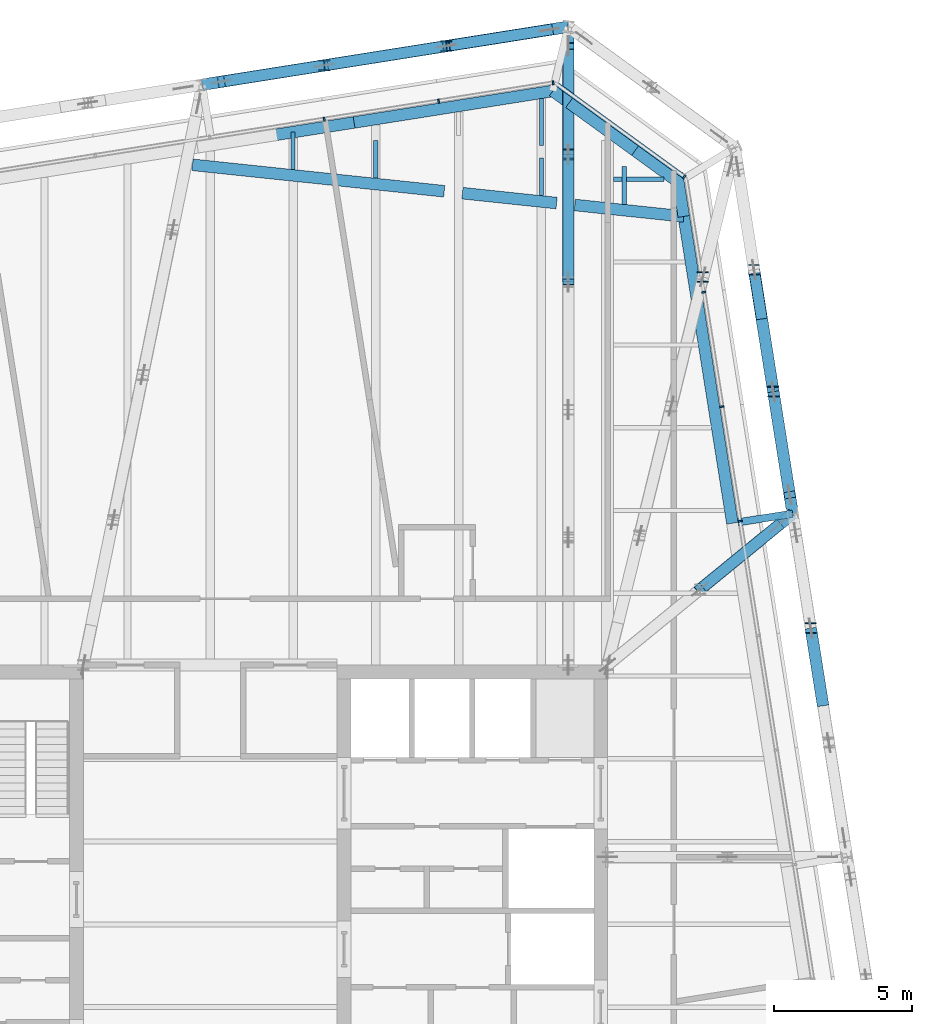
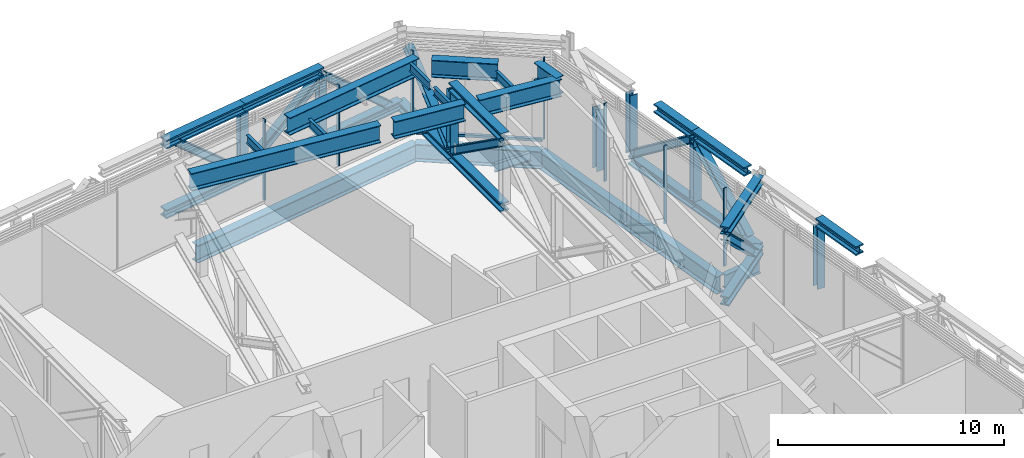
# One storey, part 18 of 32: 31 beams, 23 members, 3 elements without a shape of their own.
"""IFC4 building model written with IfcOpenShell, lengths in metres."""

from ifc_helpers import new_model, si_unit, direction, frame, origin, origin_2d, place, context, subcontext, project, spatial, rectangle, i_section, extrude, material, layer, layer_set, material_profile, profile_set, type_object, element, aggregate, save


model = new_model("IFC4")

# Units and contexts
model_context = context("Model", 3, precision=1e-05, world=origin(), true_north=direction((0.0, 1.0)))
body_context = subcontext(model_context, "Body", "Model", "MODEL_VIEW")
ifc_project = project(units=[si_unit("LENGTHUNIT", "METRE"), si_unit("AREAUNIT", "SQUARE_METRE"), si_unit("VOLUMEUNIT", "CUBIC_METRE"), si_unit("PLANEANGLEUNIT", "RADIAN"), si_unit("MASSUNIT", "GRAM", prefix="KILO")], contexts=[model_context])

# Site, building, storey
site_placement = place(None, origin())
site = spatial("IfcSite", under=ifc_project, at=site_placement, CompositionType="ELEMENT")
building_placement = place(site_placement, origin())
building = spatial("IfcBuilding", under=site, at=building_placement, Name="Millrace Tower", CompositionType="ELEMENT")
storey_placement = place(building_placement, frame((0.0, 0.0, 266.89990234375)))
storey = spatial("IfcBuildingStorey", under=building, at=storey_placement, Name="L61", CompositionType="ELEMENT", Elevation=266.89990234375)

# Beams
ifc_material_1 = material(Name="Steel ASTM A992 Grade 50", Category="steel")
ifc_material_profile_1 = material_profile(ifc_material_1, i_section(OverallWidth=0.424072265625, OverallDepth=0.47509765625, WebThickness=0.0478515625, FlangeThickness=0.0771484375, FilletRadius=0.014892578125, at=origin_2d()))
ifc_profile_set_1 = profile_set([ifc_material_profile_1], Name="Steel ASTM A992 Grade 50")
beam_type_1 = type_object("IfcBeamType", Name="Belt truss chord W14x426", PredefinedType="BEAM", material=ifc_profile_set_1)
beam_1_placement = place(storey_placement, frame((21.106689453125, 14.88330078125, 0.237548828125), z_axis=(-0.156424684061, 0.9876898897, 0.0), x_axis=(-0.9876898897, -0.156424684061, 0.0)))
element("IfcBeam", 1, at=beam_1_placement, inside=storey, type_object=beam_type_1, Name="BLT-L61-R08-B01", PredefinedType="BEAM", context=body_context, shape_type="SweptSolid", body=[
    extrude(i_section(OverallWidth=0.424072265625, OverallDepth=0.47509765625, WebThickness=0.0478515625, FlangeThickness=0.0771484375, FilletRadius=0.014892578125, at=origin_2d()), origin(), (0.0, 0.0, 1.0), 4.476318359375),
])
for number, where, z_axis, x_axis, name in (
    (2, (20.406494140625, 19.304443359375, 0.237548828125), (-0.156433111103, 0.987688555037, 0.0), (-0.987688555037, -0.156433111103, 0.0), "BLT-L61-R08-B02"),
    (3, (12.974609375, 32.5283203125, 0.237548828125), (-0.987688555037, -0.156433111103, 0.0), (0.156433111103, -0.987688555037, 0.0), "BLT-L61-R10-B01"),
):
    element("IfcBeam", number, at=place(storey_placement, frame(where, z_axis=z_axis, x_axis=x_axis)), inside=storey, type_object=beam_type_1, Name=name, PredefinedType="BEAM", context=body_context, shape_type="SweptSolid", body=[
        extrude(i_section(OverallWidth=0.424072265625, OverallDepth=0.47509765625, WebThickness=0.0478515625, FlangeThickness=0.0771484375, FilletRadius=0.014892578125, at=origin_2d()), origin(), (0.0, 0.0, 1.0), 4.47607421875),
    ])
for number, where, z_axis, x_axis, name in (
    (4, (8.5537109375, 31.828125, 0.237548828125), (-0.9876898897, -0.156424684061, 0.0), (0.156424684061, -0.9876898897, 0.0), "BLT-L61-R10-B02"),
    (5, (8.5537109375, 31.828125, 4.002685546875), (-0.9876898897, -0.156424684061, 0.0), (0.156424684061, -0.9876898897, 0.0), "BLT-L61-R10-T02"),
):
    element("IfcBeam", number, at=place(storey_placement, frame(where, z_axis=z_axis, x_axis=x_axis)), inside=storey, type_object=beam_type_1, Name=name, PredefinedType="BEAM", context=body_context, shape_type="SweptSolid", body=[
        extrude(i_section(OverallWidth=0.424072265625, OverallDepth=0.47509765625, WebThickness=0.0478515625, FlangeThickness=0.0771484375, FilletRadius=0.014892578125, at=origin_2d()), origin(), (0.0, 0.0, 1.0), 4.476318359375),
    ])
for number, where, z_axis, x_axis, name in (
    (6, (4.132568359375, 31.1279296875, 0.237548828125), (-0.987688555037, -0.156433111103, 0.0), (0.156433111103, -0.987688555037, 0.0), "BLT-L61-R10-B03"),
    (7, (4.132568359375, 31.1279296875, 4.002685546875), (-0.987688555037, -0.156433111103, 0.0), (0.156433111103, -0.987688555037, 0.0), "BLT-L61-R10-T03"),
):
    element("IfcBeam", number, at=place(storey_placement, frame(where, z_axis=z_axis, x_axis=x_axis)), inside=storey, type_object=beam_type_1, Name=name, PredefinedType="BEAM", context=body_context, shape_type="SweptSolid", body=[
        extrude(i_section(OverallWidth=0.424072265625, OverallDepth=0.47509765625, WebThickness=0.0478515625, FlangeThickness=0.0771484375, FilletRadius=0.014892578125, at=origin_2d()), origin(), (0.0, 0.0, 1.0), 4.47607421875),
    ])
beam_2_placement = place(storey_placement, frame((22.209228515625, 7.922119140625, 4.002685546875), z_axis=(-0.15644236572, 0.987687089218, 0.0), x_axis=(-0.987687089218, -0.15644236572, 0.0)))
element("IfcBeam", 8, at=beam_2_placement, inside=storey, type_object=beam_type_1, Name="BLT-L61-R07-T02", PredefinedType="BEAM", context=body_context, shape_type="SweptSolid", body=[
    extrude(i_section(OverallWidth=0.424072265625, OverallDepth=0.47509765625, WebThickness=0.0478515625, FlangeThickness=0.0771484375, FilletRadius=0.014892578125, at=origin_2d()), origin(), (0.0, 0.0, 1.0), 2.84814453125),
])
beam_3_placement = place(storey_placement, frame((20.98095703125, 15.677490234375, 4.002685546875), z_axis=(-0.156437108262, 0.987687921946, 0.0), x_axis=(-0.987687921946, -0.156437108262, 0.0)))
element("IfcBeam", 9, at=beam_3_placement, inside=storey, type_object=beam_type_1, Name="BLT-L61-R08-T01", PredefinedType="BEAM", context=body_context, shape_type="SweptSolid", body=[
    extrude(i_section(OverallWidth=0.424072265625, OverallDepth=0.47509765625, WebThickness=0.0478515625, FlangeThickness=0.0771484375, FilletRadius=0.014892578125, at=origin_2d()), origin(), (0.0, 0.0, 1.0), 3.672119140625),
])
beam_4_placement = place(storey_placement, frame((20.406494140625, 19.304443359375, 4.002685546875), z_axis=(-0.156423170346, 0.987690129433, 0.0), x_axis=(-0.987690129433, -0.156423170346, 0.0)))
element("IfcBeam", 10, at=beam_4_placement, inside=storey, type_object=beam_type_1, Name="BLT-L61-R08-T02", PredefinedType="BEAM", context=body_context, shape_type="SweptSolid", body=[
    extrude(i_section(OverallWidth=0.424072265625, OverallDepth=0.47509765625, WebThickness=0.0478515625, FlangeThickness=0.0771484375, FilletRadius=0.014892578125, at=origin_2d()), origin(), (0.0, 0.0, 1.0), 2.667236328125),
])

# Members
ifc_material_2 = material(Name="Steel ASTM A992 Grade 50", Category="steel")
ifc_material_profile_2 = material_profile(ifc_material_2, i_section(OverallWidth=0.398681640625, OverallDepth=0.385986328125, WebThickness=0.02099609375, FlangeThickness=0.033203125, FilletRadius=0.01513671875, at=origin_2d()))
ifc_profile_set_2 = profile_set([ifc_material_profile_2], Name="Steel ASTM A992 Grade 50")
member_type_1 = type_object("IfcMemberType", Name="Belt truss diagonal W14x176", PredefinedType="BRACE", material=ifc_profile_set_2)
member_1_placement = place(storey_placement, frame((20.9970703125, 15.57470703125, 0.47509765625), z_axis=(-0.117917134143, 0.744696179539, 0.6569042165), x_axis=(-0.987694723912, -0.156394157043, 0.0)))
element("IfcMember", 11, at=member_1_placement, inside=storey, type_object=member_type_1, Name="BLT-L61-R08-D01", PredefinedType="BRACE", context=body_context, shape_type="SweptSolid", body=[
    extrude(i_section(OverallWidth=0.398681640625, OverallDepth=0.385986328125, WebThickness=0.02099609375, FlangeThickness=0.033203125, FilletRadius=0.01513671875, at=origin_2d()), origin(), (0.0, 0.0, 1.0), 5.00830078125),
])
member_2_placement = place(storey_placement, frame((19.706298828125, 23.725341796875, 0.47509765625), z_axis=(0.126045823865, -0.795829072017, 0.59225715565), x_axis=(0.987688555037, 0.156433111103, 0.0)))
element("IfcMember", 12, at=member_2_placement, inside=storey, type_object=member_type_1, Name="BLT-L61-R08-D02", PredefinedType="BRACE", context=body_context, shape_type="SweptSolid", body=[
    extrude(i_section(OverallWidth=0.398681640625, OverallDepth=0.385986328125, WebThickness=0.02099609375, FlangeThickness=0.033203125, FilletRadius=0.01513671875, at=origin_2d()), origin(), (0.0, 0.0, 1.0), 5.55517578125),
])
member_3_placement = place(storey_placement, frame((12.283203125, 32.4189453125, 0.47509765625), z_axis=(-0.74467018388, -0.117969484485, 0.65692428633), x_axis=(0.156467218436, -0.98768315241, 0.0)))
element("IfcMember", 13, at=member_3_placement, inside=storey, type_object=member_type_1, Name="BLT-L61-R10-D01", PredefinedType="BRACE", context=body_context, shape_type="SweptSolid", body=[
    extrude(i_section(OverallWidth=0.398681640625, OverallDepth=0.385986328125, WebThickness=0.02099609375, FlangeThickness=0.033203125, FilletRadius=0.01513671875, at=origin_2d()), origin(), (0.0, 0.0, 1.0), 5.00830078125),
])
member_4_placement = place(storey_placement, frame((4.132568359375, 31.1279296875, 0.47509765625), z_axis=(0.795845185352, 0.126041415406, 0.592236441427), x_axis=(-0.156424684061, 0.9876898897, 0.0)))
element("IfcMember", 14, at=member_4_placement, inside=storey, type_object=member_type_1, Name="BLT-L61-R10-D02", PredefinedType="BRACE", context=body_context, shape_type="SweptSolid", body=[
    extrude(i_section(OverallWidth=0.398681640625, OverallDepth=0.385986328125, WebThickness=0.02099609375, FlangeThickness=0.033203125, FilletRadius=0.01513671875, at=origin_2d()), origin(), (0.0, 0.0, 1.0), 5.55517578125),
])
member_5_placement = place(storey_placement, frame((4.132568359375, 31.1279296875, 0.47509765625), z_axis=(-0.74467446544, -0.117921414762, 0.656928063385), x_axis=(0.156404144508, -0.987693142419, 0.0)))
element("IfcMember", 15, at=member_5_placement, inside=storey, type_object=member_type_1, Name="BLT-L61-R10-D03", PredefinedType="BRACE", context=body_context, shape_type="SweptSolid", body=[
    extrude(i_section(OverallWidth=0.398681640625, OverallDepth=0.385986328125, WebThickness=0.02099609375, FlangeThickness=0.033203125, FilletRadius=0.01513671875, at=origin_2d()), origin(), (0.0, 0.0, 1.0), 5.00830078125),
])
ifc_material_3 = material(Name="Steel ASTM A992 Grade 50", Category="steel")
ifc_material_profile_3 = material_profile(ifc_material_3, i_section(OverallWidth=0.393798828125, OverallDepth=0.3759765625, WebThickness=0.017333984375, FlangeThickness=0.027587890625, FilletRadius=0.01513671875, at=origin_2d()))
ifc_profile_set_3 = profile_set([ifc_material_profile_3], Name="Steel ASTM A992 Grade 50")
member_type_2 = type_object("IfcMemberType", Name="Belt truss post W14x145", PredefinedType="POST", material=ifc_profile_set_3)
for number, where, z_axis, x_axis, name in (
    (16, (21.763671875, 10.735107421875, 0.47509765625), (0.0, 0.0, 1.0), (1.0, 0.0, 0.0), "BLT-L61-R07-V02"),
    (17, (20.406494140625, 19.304443359375, 0.47509765625), (0.0, 0.0, 1.0), (1.0, 0.0, 0.0), "BLT-L61-R08-V01"),
    (18, (19.706298828125, 23.725341796875, 0.47509765625), (0.0, 0.0, 1.0), (1.0, 0.0, 0.0), "BLT-L61-R08-V02"),
    (19, (8.5537109375, 31.828125, 0.47509765625), (0.0, 0.0, 1.0), (1.0, 0.0, 0.0), "BLT-L61-R10-V01"),
    (20, (4.132568359375, 31.1279296875, 0.47509765625), (0.0, 0.0, 1.0), (1.0, 0.0, 0.0), "BLT-L61-R10-V02"),
):
    element("IfcMember", number, at=place(storey_placement, frame(where, z_axis=z_axis, x_axis=x_axis)), inside=storey, type_object=member_type_2, Name=name, PredefinedType="POST", context=body_context, shape_type="SweptSolid", body=[
        extrude(i_section(OverallWidth=0.393798828125, OverallDepth=0.3759765625, WebThickness=0.017333984375, FlangeThickness=0.027587890625, FilletRadius=0.01513671875, at=origin_2d()), origin(), (0.0, 0.0, 1.0), 3.2900390625),
    ])

# Curtain wall, members
ifc_material_4 = material(Name="Aluminium and glass", Category="aluminium")
ifc_layer = layer(ifc_material_4, 0.14990234375)
ifc_layer_set = layer_set([ifc_layer], Name="Aluminium and glass")
curtain_wall_type = type_object("IfcCurtainWallType", Name="CW-5 truss and plant storey louvred infill", PredefinedType="NOTDEFINED", material=ifc_layer_set)
placement = place(storey_placement, origin())
curtain_wall_1 = element("IfcCurtainWall", 21, at=placement, inside=storey, type_object=curtain_wall_type, Name="Curtain wall D-F04 L61", PredefinedType="NOTDEFINED")
ifc_material_5 = material(Name="Aluminium", Category="aluminium")
ifc_material_profile_4 = material_profile(ifc_material_5, rectangle(XDim=0.06494140625, YDim=0.14990234375, at=origin_2d()))
ifc_profile_set_4 = profile_set([ifc_material_profile_4], Name="Aluminium")
member_type_3 = type_object("IfcMemberType", Name="CW-5 truss and plant storey louvred infill mullion", PredefinedType="MULLION", material=ifc_profile_set_4)
member_6_placement = place(storey_placement, frame((19.2001953125, 14.6142578125, 0.14013671875), z_axis=(0.0, 0.0, 1.0), x_axis=(-0.156434471884, 0.987688339511, 0.0)))
member_6 = element("IfcMember", 22, at=member_6_placement, type_object=member_type_3, Name="CW5 mullion D-F04.7", PredefinedType="MULLION", context=body_context, shape_type="SweptSolid", body=[
    extrude(rectangle(XDim=0.06494140625, YDim=0.14990234375, at=origin_2d()), origin(), (0.0, 0.0, 1.0), 4.199951171875),
])
member_7_placement = place(storey_placement, frame((18.543212890625, 18.762451171875, 0.14013671875), z_axis=(0.0, 0.0, 1.0), x_axis=(-0.156434471884, 0.987688339511, 0.0)))
member_7 = element("IfcMember", 23, at=member_7_placement, type_object=member_type_3, Name="CW5 mullion D-F04.8", PredefinedType="MULLION", context=body_context, shape_type="SweptSolid", body=[
    extrude(rectangle(XDim=0.06494140625, YDim=0.14990234375, at=origin_2d()), origin(), (0.0, 0.0, 1.0), 4.199951171875),
])
member_8_placement = place(storey_placement, frame((17.88623046875, 22.910888671875, 0.14013671875), z_axis=(0.0, 0.0, 1.0), x_axis=(-0.156434471884, 0.987688339511, 0.0)))
member_8 = element("IfcMember", 24, at=member_8_placement, type_object=member_type_3, Name="CW5 mullion D-F04.9", PredefinedType="MULLION", context=body_context, shape_type="SweptSolid", body=[
    extrude(rectangle(XDim=0.06494140625, YDim=0.14990234375, at=origin_2d()), origin(), (0.0, 0.0, 1.0), 4.199951171875),
])
aggregate(curtain_wall_1, [member_6, member_7, member_8])

# Curtain wall, member
curtain_wall_2 = element("IfcCurtainWall", 25, at=placement, inside=storey, type_object=curtain_wall_type, Name="Curtain wall D-F05 L61", PredefinedType="NOTDEFINED")
member_9_placement = place(storey_placement, frame((17.177978515625, 27.094970703125, 0.14013671875), z_axis=(0.0, 0.0, 1.0), x_axis=(-0.809016955361, 0.587785305991, 0.0)))
member_9 = element("IfcMember", 26, at=member_9_placement, type_object=member_type_3, Name="CW5 mullion D-F05.1", PredefinedType="MULLION", context=body_context, shape_type="SweptSolid", body=[
    extrude(rectangle(XDim=0.06494140625, YDim=0.14990234375, at=origin_2d()), origin(), (0.0, 0.0, 1.0), 4.35986328125),
])

# Curtain wall, members
curtain_wall_3 = element("IfcCurtainWall", 27, at=placement, inside=storey, type_object=curtain_wall_type, Name="Curtain wall D-F06 L61", PredefinedType="NOTDEFINED")
member_10_placement = place(storey_placement, frame((12.425537109375, 30.492431640625, 0.14013671875), z_axis=(0.0, 0.0, 1.0), x_axis=(-0.987688339511, -0.156434471884, 0.0)))
member_10 = element("IfcMember", 28, at=member_10_placement, type_object=member_type_3, Name="CW5 mullion D-F06.1", PredefinedType="MULLION", context=body_context, shape_type="SweptSolid", body=[
    extrude(rectangle(XDim=0.06494140625, YDim=0.14990234375, at=origin_2d()), origin(), (0.0, 0.0, 1.0), 4.35986328125),
])
member_11_placement = place(storey_placement, frame((8.277099609375, 29.83544921875, 0.14013671875), z_axis=(0.0, 0.0, 1.0), x_axis=(-0.987688339511, -0.156434471884, 0.0)))
member_11 = element("IfcMember", 29, at=member_11_placement, type_object=member_type_3, Name="CW5 mullion D-F06.2", PredefinedType="MULLION", context=body_context, shape_type="SweptSolid", body=[
    extrude(rectangle(XDim=0.06494140625, YDim=0.14990234375, at=origin_2d()), origin(), (0.0, 0.0, 1.0), 4.35986328125),
])
member_12_placement = place(storey_placement, frame((4.12890625, 29.178466796875, 0.14013671875), z_axis=(0.0, 0.0, 1.0), x_axis=(-0.987688339511, -0.156434471884, 0.0)))
member_12 = element("IfcMember", 30, at=member_12_placement, type_object=member_type_3, Name="CW5 mullion D-F06.3", PredefinedType="MULLION", context=body_context, shape_type="SweptSolid", body=[
    extrude(rectangle(XDim=0.06494140625, YDim=0.14990234375, at=origin_2d()), origin(), (0.0, 0.0, 1.0), 4.35986328125),
])
aggregate(curtain_wall_3, [member_10, member_11, member_12])

# Member
ifc_material_6 = material(Name="Aluminium", Category="aluminium")
ifc_material_profile_5 = material_profile(ifc_material_6, rectangle(XDim=0.14990234375, YDim=0.139892578125, at=origin_2d()))
ifc_profile_set_5 = profile_set([ifc_material_profile_5], Name="Aluminium")
member_type_4 = type_object("IfcMemberType", Name="CW-5 truss and plant storey louvred infill transom", PredefinedType="USERDEFINED", material=ifc_profile_set_5)
member_13_placement = place(storey_placement, frame((17.123291015625, 27.134765625, 0.070068359375), z_axis=(-0.809018869857, 0.587782670904, 0.0), x_axis=(-0.587782670904, -0.809018869857, 0.0)))
member_13 = element("IfcMember", 31, at=member_13_placement, type_object=member_type_4, Name="CW5 transom D-F05.1", ObjectType="TRANSOM", PredefinedType="USERDEFINED", context=body_context, shape_type="SweptSolid", body=[
    extrude(rectangle(XDim=0.14990234375, YDim=0.139892578125, at=origin_2d()), origin(), (0.0, 0.0, 1.0), 5.59814453125),
])

aggregate(curtain_wall_2, [member_9, member_13])

# Beams
ifc_material_7 = material(Name="Steel ASTM A992 Grade 50", Category="steel")
ifc_material_profile_6 = material_profile(ifc_material_7, i_section(OverallWidth=0.15234375, OverallDepth=0.449462890625, WebThickness=0.007568359375, FlangeThickness=0.0107421875, FilletRadius=0.01025390625, at=origin_2d()))
ifc_profile_set_6 = profile_set([ifc_material_profile_6], Name="Steel ASTM A992 Grade 50")
beam_type_2 = type_object("IfcBeamType", Name="Floor beam W18x35", PredefinedType="JOIST", material=ifc_profile_set_6)
beam_5_placement = place(storey_placement, frame((3.0, 27.35498046875, 4.115234375), z_axis=(0.0, 1.0, 0.0), x_axis=(-1.0, 0.0, 0.0)))
element("IfcBeam", 32, at=beam_5_placement, inside=storey, type_object=beam_type_2, Name="BM-D-L61-R3-S001", PredefinedType="JOIST", context=body_context, shape_type="SweptSolid", body=[
    extrude(i_section(OverallWidth=0.15234375, OverallDepth=0.449462890625, WebThickness=0.007568359375, FlangeThickness=0.0107421875, FilletRadius=0.01025390625, at=origin_2d()), origin(), (0.0, 0.0, 1.0), 1.36181640625),
])
for number, where, z_axis, x_axis, name in (
    (33, (6.0, 27.03955078125, 4.115234375), (0.0, 1.0, 0.0), (-1.0, 0.0, 0.0), "BM-D-L61-R3-S002"),
    (34, (12.0, 26.408935546875, 4.115234375), (0.0, 1.0, 0.0), (-1.0, 0.0, 0.0), "BM-D-L61-R3-S005-a"),
):
    element("IfcBeam", number, at=place(storey_placement, frame(where, z_axis=z_axis, x_axis=x_axis)), inside=storey, type_object=beam_type_2, Name=name, PredefinedType="JOIST", context=body_context, shape_type="SweptSolid", body=[
        extrude(i_section(OverallWidth=0.15234375, OverallDepth=0.449462890625, WebThickness=0.007568359375, FlangeThickness=0.0107421875, FilletRadius=0.01025390625, at=origin_2d()), origin(), (0.0, 0.0, 1.0), 1.365234375),
    ])
beam_6_placement = place(storey_placement, frame((12.0, 28.218017578125, 4.115234375), z_axis=(0.0, 1.0, 0.0), x_axis=(-1.0, 0.0, 0.0)))
element("IfcBeam", 35, at=beam_6_placement, inside=storey, type_object=beam_type_2, Name="BM-D-L61-R3-S005-b", PredefinedType="JOIST", context=body_context, shape_type="SweptSolid", body=[
    extrude(i_section(OverallWidth=0.15234375, OverallDepth=0.449462890625, WebThickness=0.007568359375, FlangeThickness=0.0107421875, FilletRadius=0.01025390625, at=origin_2d()), origin(), (0.0, 0.0, 1.0), 1.7041015625),
])
beam_7_placement = place(storey_placement, frame((15.0, 26.09375, 4.115234375), z_axis=(0.0, 1.0, 0.0), x_axis=(-1.0, 0.0, 0.0)))
element("IfcBeam", 36, at=beam_7_placement, inside=storey, type_object=beam_type_2, Name="BM-D-L61-R3-S006", PredefinedType="JOIST", context=body_context, shape_type="SweptSolid", body=[
    extrude(i_section(OverallWidth=0.15234375, OverallDepth=0.449462890625, WebThickness=0.007568359375, FlangeThickness=0.0107421875, FilletRadius=0.01025390625, at=origin_2d()), origin(), (0.0, 0.0, 1.0), 1.365234375),
])
beam_8_placement = place(storey_placement, frame((14.612060546875, 27.0, -0.474609375), z_axis=(1.0, 0.0, 0.0), x_axis=(0.0, 1.0, 0.0)))
element("IfcBeam", 37, at=beam_8_placement, inside=storey, type_object=beam_type_2, Name="BM-D-L61-S1-S035", PredefinedType="JOIST", context=body_context, shape_type="SweptSolid", body=[
    extrude(i_section(OverallWidth=0.15234375, OverallDepth=0.449462890625, WebThickness=0.007568359375, FlangeThickness=0.0107421875, FilletRadius=0.01025390625, at=origin_2d()), origin(), (0.0, 0.0, 1.0), 1.823974609375),
])
ifc_material_8 = material(Name="Steel ASTM A992 Grade 50", Category="steel")
ifc_material_profile_7 = material_profile(ifc_material_8, i_section(OverallWidth=0.2666015625, OverallDepth=0.7568359375, WebThickness=0.013916015625, FlangeThickness=0.019287109375, FilletRadius=0.0166015625, at=origin_2d()))
ifc_profile_set_7 = profile_set([ifc_material_profile_7], Name="Steel ASTM A992 Grade 50")
beam_type_3 = type_object("IfcBeamType", Name="Link beam W30x108", PredefinedType="BEAM", material=ifc_profile_set_7)
beam_9_placement = place(storey_placement, frame((19.13134765625, 14.5703125, -0.62841796875), z_axis=(0.987678691416, 0.156495375404, 0.0), x_axis=(-0.156495375404, 0.987678691416, 0.0)))
element("IfcBeam", 38, at=beam_9_placement, inside=storey, type_object=beam_type_3, Name="LNK-D-L61-S1-10", PredefinedType="BEAM", context=body_context, shape_type="SweptSolid", body=[
    extrude(i_section(OverallWidth=0.2666015625, OverallDepth=0.7568359375, WebThickness=0.013916015625, FlangeThickness=0.019287109375, FilletRadius=0.0166015625, at=origin_2d()), origin(), (0.0, 0.0, 1.0), 2.0),
])
ifc_material_9 = material(Name="Steel ASTM A992 Grade 50", Category="steel")
ifc_material_profile_8 = material_profile(ifc_material_9, i_section(OverallWidth=0.424072265625, OverallDepth=0.47509765625, WebThickness=0.0478515625, FlangeThickness=0.0771484375, FilletRadius=0.014892578125, at=origin_2d()))
ifc_profile_set_8 = profile_set([ifc_material_profile_8], Name="Steel ASTM A992 Grade 50")
beam_type_4 = type_object("IfcBeamType", Name="Outrigger truss chord W14x426", PredefinedType="BEAM", material=ifc_profile_set_8)
for number, where, z_axis, x_axis, name in (
    (39, (17.75341796875, 12.1416015625, 0.237548828125), (0.774170716034, 0.63297685774, 0.0), (-0.63297685774, 0.774170716034, 0.0), "BLT-L61-O08-B02"),
    (40, (17.75341796875, 12.1416015625, 4.002685546875), (0.774170716034, 0.63297685774, 0.0), (-0.63297685774, 0.774170716034, 0.0), "BLT-L61-O08-T02"),
):
    element("IfcBeam", number, at=place(storey_placement, frame(where, z_axis=z_axis, x_axis=x_axis)), inside=storey, type_object=beam_type_4, Name=name, PredefinedType="BEAM", context=body_context, shape_type="SweptSolid", body=[
        extrude(i_section(OverallWidth=0.424072265625, OverallDepth=0.47509765625, WebThickness=0.0478515625, FlangeThickness=0.0771484375, FilletRadius=0.014892578125, at=origin_2d()), origin(), (0.0, 0.0, 1.0), 4.33154296875),
    ])
beam_10_placement = place(storey_placement, frame((12.974609375, 23.277099609375, 0.237548828125), z_axis=(0.0, 1.0, 0.0), x_axis=(-1.0, 0.0, 0.0)))
element("IfcBeam", 41, at=beam_10_placement, inside=storey, type_object=beam_type_4, Name="BLT-L61-O10-B04", PredefinedType="BEAM", context=body_context, shape_type="SweptSolid", body=[
    extrude(i_section(OverallWidth=0.424072265625, OverallDepth=0.47509765625, WebThickness=0.0478515625, FlangeThickness=0.0771484375, FilletRadius=0.014892578125, at=origin_2d()), origin(), (0.0, 0.0, 1.0), 4.625732421875),
])
beam_11_placement = place(storey_placement, frame((12.974609375, 27.90283203125, 0.237548828125), z_axis=(0.0, 1.0, 0.0), x_axis=(-1.0, 0.0, 0.0)))
element("IfcBeam", 42, at=beam_11_placement, inside=storey, type_object=beam_type_4, Name="BLT-L61-O10-B05", PredefinedType="BEAM", context=body_context, shape_type="SweptSolid", body=[
    extrude(i_section(OverallWidth=0.424072265625, OverallDepth=0.47509765625, WebThickness=0.0478515625, FlangeThickness=0.0771484375, FilletRadius=0.014892578125, at=origin_2d()), origin(), (0.0, 0.0, 1.0), 4.62548828125),
])
beam_12_placement = place(storey_placement, frame((12.974609375, 23.277099609375, 4.002685546875), z_axis=(0.0, 1.0, 0.0), x_axis=(-1.0, 0.0, 0.0)))
element("IfcBeam", 43, at=beam_12_placement, inside=storey, type_object=beam_type_4, Name="BLT-L61-O10-T04", PredefinedType="BEAM", context=body_context, shape_type="SweptSolid", body=[
    extrude(i_section(OverallWidth=0.424072265625, OverallDepth=0.47509765625, WebThickness=0.0478515625, FlangeThickness=0.0771484375, FilletRadius=0.014892578125, at=origin_2d()), origin(), (0.0, 0.0, 1.0), 4.585205078125),
])

# Members
ifc_material_10 = material(Name="Steel ASTM A992 Grade 50", Category="steel")
ifc_material_profile_9 = material_profile(ifc_material_10, i_section(OverallWidth=0.398681640625, OverallDepth=0.385986328125, WebThickness=0.02099609375, FlangeThickness=0.033203125, FilletRadius=0.01513671875, at=origin_2d()))
ifc_profile_set_9 = profile_set([ifc_material_profile_9], Name="Steel ASTM A992 Grade 50")
member_type_5 = type_object("IfcMemberType", Name="Outrigger truss diagonal W14x176", PredefinedType="BRACE", material=ifc_profile_set_9)
member_14_placement = place(storey_placement, frame((20.564697265625, 14.440185546875, 0.47509765625), z_axis=(-0.573716888821, -0.469087668975, 0.671420650782), x_axis=(0.632981478304, -0.774166938149, 0.0)))
element("IfcMember", 44, at=member_14_placement, inside=storey, type_object=member_type_5, Name="BLT-L61-O08-D02", PredefinedType="BRACE", context=body_context, shape_type="SweptSolid", body=[
    extrude(i_section(OverallWidth=0.398681640625, OverallDepth=0.385986328125, WebThickness=0.02099609375, FlangeThickness=0.033203125, FilletRadius=0.01513671875, at=origin_2d()), origin(), (0.0, 0.0, 1.0), 4.900146484375),
])
member_15_placement = place(storey_placement, frame((12.974609375, 27.90283203125, 0.47509765625), z_axis=(0.0, -0.814902959272, 0.579597418016), x_axis=(1.0, 0.0, 0.0)))
element("IfcMember", 45, at=member_15_placement, inside=storey, type_object=member_type_5, Name="BLT-L61-O10-D04", PredefinedType="BRACE", context=body_context, shape_type="SweptSolid", body=[
    extrude(i_section(OverallWidth=0.398681640625, OverallDepth=0.385986328125, WebThickness=0.02099609375, FlangeThickness=0.033203125, FilletRadius=0.01513671875, at=origin_2d()), origin(), (0.0, 0.0, 1.0), 5.676513671875),
])
member_16_placement = place(storey_placement, frame((12.974609375, 27.90283203125, 0.47509765625), z_axis=(0.0, 0.766417100058, 0.642343232812), x_axis=(-1.0, 0.0, 0.0)))
element("IfcMember", 46, at=member_16_placement, inside=storey, type_object=member_type_5, Name="BLT-L61-O10-D05", PredefinedType="BRACE", context=body_context, shape_type="SweptSolid", body=[
    extrude(i_section(OverallWidth=0.398681640625, OverallDepth=0.385986328125, WebThickness=0.02099609375, FlangeThickness=0.033203125, FilletRadius=0.01513671875, at=origin_2d()), origin(), (0.0, 0.0, 1.0), 5.121826171875),
])
ifc_material_11 = material(Name="Steel ASTM A992 Grade 50", Category="steel")
ifc_material_profile_10 = material_profile(ifc_material_11, i_section(OverallWidth=0.393798828125, OverallDepth=0.3759765625, WebThickness=0.017333984375, FlangeThickness=0.027587890625, FilletRadius=0.01513671875, at=origin_2d()))
ifc_profile_set_10 = profile_set([ifc_material_profile_10], Name="Steel ASTM A992 Grade 50")
member_type_6 = type_object("IfcMemberType", Name="Outrigger truss post W14x145", PredefinedType="POST", material=ifc_profile_set_10)
for number, where, z_axis, x_axis, name in (
    (47, (17.8544921875, 23.459716796875, 0.47509765625), (0.0, 0.0, 1.0), (1.0, 0.0, 0.0), "BLT-L61-O09-V03"),
    (48, (12.974609375, 27.90283203125, 0.47509765625), (0.0, 0.0, 1.0), (1.0, 0.0, 0.0), "BLT-L61-O10-V04"),
):
    element("IfcMember", number, at=place(storey_placement, frame(where, z_axis=z_axis, x_axis=x_axis)), inside=storey, type_object=member_type_6, Name=name, PredefinedType="POST", context=body_context, shape_type="SweptSolid", body=[
        extrude(i_section(OverallWidth=0.393798828125, OverallDepth=0.3759765625, WebThickness=0.017333984375, FlangeThickness=0.027587890625, FilletRadius=0.01513671875, at=origin_2d()), origin(), (0.0, 0.0, 1.0), 3.2900390625),
    ])

# Beams
ifc_material_12 = material(Name="Steel ASTM A992 Grade 50", Category="steel")
ifc_material_profile_11 = material_profile(ifc_material_12, i_section(OverallWidth=0.421630859375, OverallDepth=0.937255859375, WebThickness=0.021240234375, FlangeThickness=0.03662109375, FilletRadius=0.024169921875, at=origin_2d()))
ifc_profile_set_11 = profile_set([ifc_material_profile_11], Name="Steel ASTM A992 Grade 50")
beam_type_5 = type_object("IfcBeamType", Name="Ring beam medium span W36x262", PredefinedType="SPANDREL", material=ifc_profile_set_11)
for number, where, z_axis, x_axis, name in (
    (49, (0.057373046875, 28.244140625, -0.718505859375), (0.98768707064, 0.156442483009, 0.0), (-0.156442483009, 0.98768707064, 0.0), "RNG-D-L61-S1-07"),
    (50, (16.965576171875, 26.89599609375, -0.718505859375), (0.156442483009, -0.98768707064, 0.0), (0.98768707064, 0.156442483009, 0.0), "RNG-D-L61-S1-09"),
):
    element("IfcBeam", number, at=place(storey_placement, frame(where, z_axis=z_axis, x_axis=x_axis)), inside=storey, type_object=beam_type_5, Name=name, PredefinedType="SPANDREL", context=body_context, shape_type="SweptSolid", body=[
        extrude(i_section(OverallWidth=0.421630859375, OverallDepth=0.937255859375, WebThickness=0.021240234375, FlangeThickness=0.03662109375, FilletRadius=0.024169921875, at=origin_2d()), origin(), (0.0, 0.0, 1.0), 12.5126953125),
    ])
ifc_material_13 = material(Name="Steel ASTM A992 Grade 50", Category="steel")
ifc_material_profile_12 = material_profile(ifc_material_13, i_section(OverallWidth=0.421630859375, OverallDepth=0.937255859375, WebThickness=0.021240234375, FlangeThickness=0.03662109375, FilletRadius=0.024169921875, at=origin_2d()))
ifc_profile_set_12 = profile_set([ifc_material_profile_12], Name="Steel ASTM A992 Grade 50")
beam_type_6 = type_object("IfcBeamType", Name="Ring beam short span W36x262", PredefinedType="SPANDREL", material=ifc_profile_set_12)
beam_13_placement = place(storey_placement, frame((12.416015625, 30.20166015625, -0.718505859375), z_axis=(0.808998827421, -0.587810256146, 0.0), x_axis=(0.587810256146, 0.808998827421, 0.0)))
element("IfcBeam", 51, at=beam_13_placement, inside=storey, type_object=beam_type_6, Name="RNG-D-L61-S1-08", PredefinedType="SPANDREL", context=body_context, shape_type="SweptSolid", body=[
    extrude(i_section(OverallWidth=0.421630859375, OverallDepth=0.937255859375, WebThickness=0.021240234375, FlangeThickness=0.03662109375, FilletRadius=0.024169921875, at=origin_2d()), origin(), (0.0, 0.0, 1.0), 5.623779296875),
])
beam_14_placement = place(storey_placement, frame((16.916259765625, 27.208251953125, 3.87158203125), z_axis=(0.156440736341, -0.987687347298, 0.0), x_axis=(0.987687347298, 0.156440736341, 0.0)))
element("IfcBeam", 52, at=beam_14_placement, inside=storey, type_object=beam_type_6, Name="RNG-D-L61-R3-02", PredefinedType="SPANDREL", context=body_context, shape_type="SweptSolid", body=[
    extrude(i_section(OverallWidth=0.421630859375, OverallDepth=0.937255859375, WebThickness=0.021240234375, FlangeThickness=0.03662109375, FilletRadius=0.024169921875, at=origin_2d()), origin(), (0.0, 0.0, 1.0), 1.572998046875),
])
beam_15_placement = place(storey_placement, frame((17.162353515625, 25.654541015625, 3.87158203125), z_axis=(-0.994523282318, 0.104515266479, 0.0), x_axis=(-0.104515266479, -0.994523282318, 0.0)))
element("IfcBeam", 53, at=beam_15_placement, inside=storey, type_object=beam_type_6, Name="RNG-D-L61-R3-03-a", PredefinedType="SPANDREL", context=body_context, shape_type="SweptSolid", body=[
    extrude(i_section(OverallWidth=0.421630859375, OverallDepth=0.937255859375, WebThickness=0.021240234375, FlangeThickness=0.03662109375, FilletRadius=0.024169921875, at=origin_2d()), origin(), (0.0, 0.0, 1.0), 3.973388671875),
])
beam_16_placement = place(storey_placement, frame((5.213134765625, 29.060791015625, 3.87158203125), z_axis=(0.987688384675, 0.156434186731, 0.0), x_axis=(-0.156434186731, 0.987688384675, 0.0)))
element("IfcBeam", 54, at=beam_16_placement, inside=storey, type_object=beam_type_6, Name="RNG-D-L61-R3-05-b", PredefinedType="SPANDREL", context=body_context, shape_type="SweptSolid", body=[
    extrude(i_section(OverallWidth=0.421630859375, OverallDepth=0.937255859375, WebThickness=0.021240234375, FlangeThickness=0.03662109375, FilletRadius=0.024169921875, at=origin_2d()), origin(), (0.0, 0.0, 1.0), 7.336669921875),
])
beam_17_placement = place(storey_placement, frame((13.006103515625, 29.77294921875, 3.87158203125), z_axis=(0.808993633051, -0.587817405052, 0.0), x_axis=(0.587817405052, 0.808993633051, 0.0)))
element("IfcBeam", 55, at=beam_17_placement, inside=storey, type_object=beam_type_6, Name="RNG-D-L61-R3-01", PredefinedType="SPANDREL", context=body_context, shape_type="SweptSolid", body=[
    extrude(i_section(OverallWidth=0.421630859375, OverallDepth=0.937255859375, WebThickness=0.021240234375, FlangeThickness=0.03662109375, FilletRadius=0.024169921875, at=origin_2d()), origin(), (0.0, 0.0, 1.0), 2.950439453125),
])
beam_18_placement = place(storey_placement, frame((12.5517578125, 26.13916015625, 3.87158203125), z_axis=(-0.994522205266, 0.104525514741, 0.0), x_axis=(-0.104525514741, -0.994522205266, 0.0)))
element("IfcBeam", 56, at=beam_18_placement, inside=storey, type_object=beam_type_6, Name="RNG-D-L61-R3-03-b-a", PredefinedType="SPANDREL", context=body_context, shape_type="SweptSolid", body=[
    extrude(i_section(OverallWidth=0.421630859375, OverallDepth=0.937255859375, WebThickness=0.021240234375, FlangeThickness=0.03662109375, FilletRadius=0.024169921875, at=origin_2d()), origin(), (0.0, 0.0, 1.0), 3.43115234375),
])
beam_19_placement = place(storey_placement, frame((8.48046875, 26.56689453125, 3.87158203125), z_axis=(-0.9945208998, 0.104537935037, 0.0), x_axis=(-0.104537935037, -0.9945208998, 0.0)))
element("IfcBeam", 57, at=beam_19_placement, inside=storey, type_object=beam_type_6, Name="RNG-D-L61-R3-03-b-b", PredefinedType="SPANDREL", context=body_context, shape_type="SweptSolid", body=[
    extrude(i_section(OverallWidth=0.421630859375, OverallDepth=0.937255859375, WebThickness=0.021240234375, FlangeThickness=0.03662109375, FilletRadius=0.024169921875, at=origin_2d()), origin(), (0.0, 0.0, 1.0), 9.173583984375),
])

save(model, "model.ifc")
